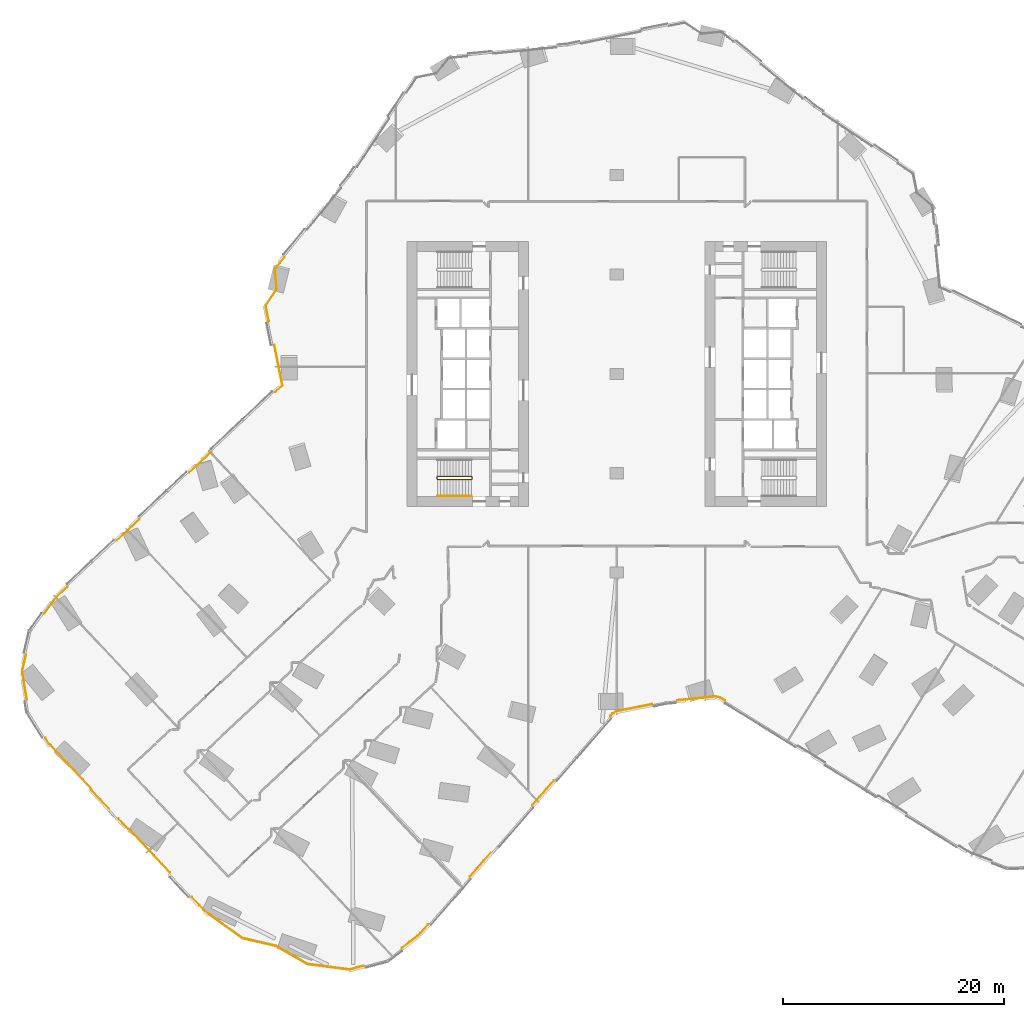
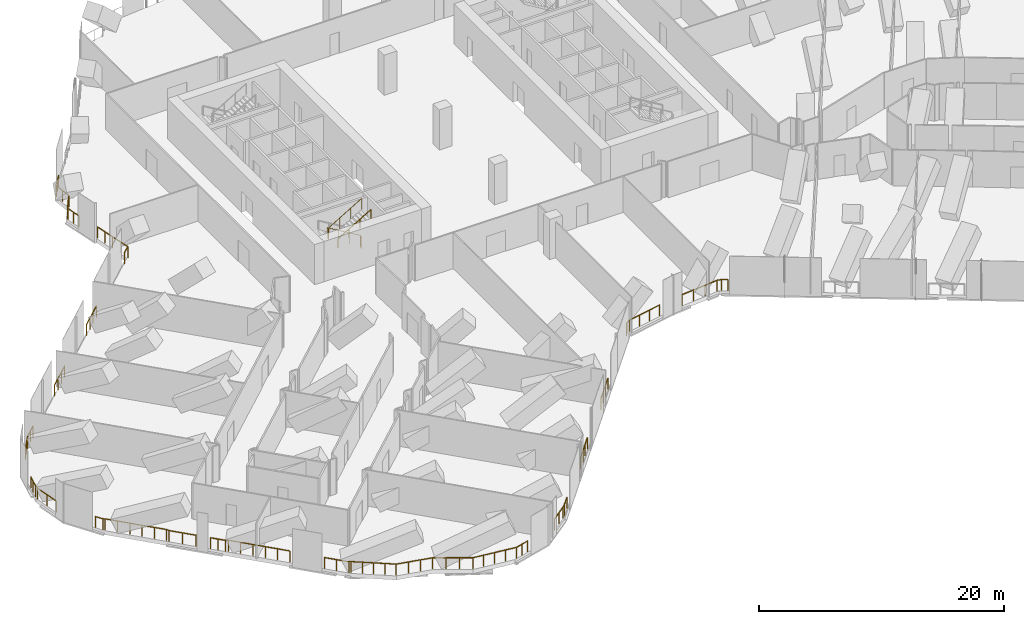
# One storey, part 29 of 31: 18 railings.
"""IFC4 building model written with IfcOpenShell, lengths in metres."""

from ifc_helpers import new_model, si_unit, direction, frame, origin, origin_2d, place, context, subcontext, project, spatial, circle, extrude, material, type_object, element, save


model = new_model("IFC4")

# Units and contexts
model_context = context("Model", 3, precision=1e-05, world=origin(), true_north=direction((0.0, 1.0)))
body_context = subcontext(model_context, "Body", "Model", "MODEL_VIEW")
ifc_project = project(units=[si_unit("LENGTHUNIT", "METRE"), si_unit("AREAUNIT", "SQUARE_METRE"), si_unit("VOLUMEUNIT", "CUBIC_METRE"), si_unit("PLANEANGLEUNIT", "RADIAN"), si_unit("MASSUNIT", "GRAM", prefix="KILO")], contexts=[model_context])

# Site, building, storey
site_placement = place(None, origin())
site = spatial("IfcSite", under=ifc_project, at=site_placement, CompositionType="ELEMENT")
building_placement = place(site_placement, origin())
building = spatial("IfcBuilding", under=site, at=building_placement, Name="Orlundy Tower", CompositionType="ELEMENT")
storey_placement = place(building_placement, frame((0.0, 0.0, 54.800048828125)))
storey = spatial("IfcBuildingStorey", under=building, at=storey_placement, Name="L12", CompositionType="ELEMENT", Elevation=54.800048828125)

# Railings
ifc_material_1 = material(Name="Steel balustrade", Category="steel")
railing_type_1 = type_object("IfcRailingType", Name="Stair Guard 1100", PredefinedType="GUARDRAIL", material=ifc_material_1)
railing_1_placement = place(storey_placement, frame((-13.090087890625, -9.35009765625, 0.0)))
element("IfcRailing", 1, at=railing_1_placement, inside=storey, type_object=railing_type_1, Name="L12 ST-W2 stair guard 1", PredefinedType="GUARDRAIL", context=body_context, shape_type="SweptSolid", body=[
    extrude(circle(Radius=0.02392578125, at=origin_2d()), frame((0.0, 0.0, 1.076171875), z_axis=(0.0, -1.0, 0.0), x_axis=(1.0, 0.0, 0.0)), (0.0, 0.0, 1.0), 0.14990234375),
    extrude(circle(Radius=0.02392578125, at=origin_2d()), frame((0.0, -0.14990234375, 1.076171875), z_axis=(-0.187996396626, 0.754750239394, 0.628497757347), x_axis=(-0.970351222016, -0.241699205484, 0.0)), (0.0, 0.0, 1.0), 0.264892578125),
    extrude(circle(Radius=0.02392578125, at=origin_2d()), frame((-0.0498046875, 0.050048828125, 1.24267578125), z_axis=(-0.85927862911, 0.0, 0.511507807912), x_axis=(0.0, -1.0, 0.0)), (0.0, 0.0, 1.0), 3.58447265625),
    extrude(circle(Radius=0.02392578125, at=origin_2d()), frame((-3.1298828125, 0.050048828125, 3.076171875), z_axis=(-0.707106781187, -0.707106781187, 0.0), x_axis=(0.707106781187, -0.707106781187, 0.0)), (0.0, 0.0, 1.0), 0.07080078125),
    extrude(circle(Radius=0.02392578125, at=origin_2d()), frame((-3.179931640625, 0.0, 3.076171875), z_axis=(0.0, -1.0, 0.0), x_axis=(1.0, 0.0, 0.0)), (0.0, 0.0, 1.0), 0.14990234375),
    extrude(circle(Radius=0.02392578125, at=origin_2d()), frame((-3.179931640625, -0.14990234375, 3.076171875), z_axis=(0.27662974545, -0.27662974545, 0.920299933644), x_axis=(0.707106781187, 0.707106781187, 0.0)), (0.0, 0.0, 1.0), 0.180908203125),
    extrude(circle(Radius=0.02392578125, at=origin_2d()), frame((-3.1298828125, -0.199951171875, 3.24267578125), z_axis=(0.85927862911, 0.0, 0.511507807912), x_axis=(0.0, 1.0, 0.0)), (0.0, 0.0, 1.0), 3.58447265625),
    extrude(circle(Radius=0.02099609375, at=origin_2d()), origin(), (0.0, 0.0, 1.0), 1.052001953125),
    extrude(circle(Radius=0.02099609375, at=origin_2d()), frame((0.0, -0.14990234375, 0.0)), (0.0, 0.0, 1.0), 1.052001953125),
    extrude(circle(Radius=0.02099609375, at=origin_2d()), frame((-0.0498046875, 0.050048828125, 0.16650390625)), (0.0, 0.0, 1.0), 1.052001953125),
    extrude(circle(Radius=0.02099609375, at=origin_2d()), frame((-1.076416015625, 0.050048828125, 0.777587890625)), (0.0, 0.0, 1.0), 1.052001953125),
    extrude(circle(Radius=0.02099609375, at=origin_2d()), frame((-2.103271484375, 0.050048828125, 1.388916015625)), (0.0, 0.0, 1.0), 1.052001953125),
    extrude(circle(Radius=0.02099609375, at=origin_2d()), frame((-3.1298828125, 0.050048828125, 2.0)), (0.0, 0.0, 1.0), 1.052001953125),
    extrude(circle(Radius=0.02099609375, at=origin_2d()), frame((-3.179931640625, 0.0, 2.0)), (0.0, 0.0, 1.0), 1.052001953125),
    extrude(circle(Radius=0.02099609375, at=origin_2d()), frame((-3.179931640625, -0.14990234375, 2.0)), (0.0, 0.0, 1.0), 1.052001953125),
    extrude(circle(Radius=0.02099609375, at=origin_2d()), frame((-3.1298828125, -0.199951171875, 2.16650390625)), (0.0, 0.0, 1.0), 1.052001953125),
    extrude(circle(Radius=0.02099609375, at=origin_2d()), frame((-2.103271484375, -0.199951171875, 2.777587890625)), (0.0, 0.0, 1.0), 1.052001953125),
    extrude(circle(Radius=0.02099609375, at=origin_2d()), frame((-1.076416015625, -0.199951171875, 3.388916015625)), (0.0, 0.0, 1.0), 1.052001953125),
    extrude(circle(Radius=0.02099609375, at=origin_2d()), frame((-0.0498046875, -0.199951171875, 4.0)), (0.0, 0.0, 1.0), 1.052001953125),
])
ifc_material_2 = material(Name="Steel handrail", Category="steel")
railing_type_2 = type_object("IfcRailingType", Name="Stair Handrail 900", PredefinedType="HANDRAIL", material=ifc_material_2)
railing_2_placement = place(storey_placement, frame((-16.219970703125, -11.050048828125, 2.16650390625)))
element("IfcRailing", 2, at=railing_2_placement, inside=storey, type_object=railing_type_2, Name="L12 ST-W2 stair handrail 2", PredefinedType="HANDRAIL", context=body_context, shape_type="SweptSolid", body=[
    extrude(circle(Radius=0.02392578125, at=origin_2d()), frame((0.0, 0.0, 0.8759765625), z_axis=(0.85927862911, 0.0, 0.511507807912), x_axis=(0.0, 1.0, 0.0)), (0.0, 0.0, 1.0), 3.58447265625),
    extrude(circle(Radius=0.02099609375, at=origin_2d()), origin(), (0.0, 0.0, 1.0), 0.851806640625),
    extrude(circle(Radius=0.02099609375, at=origin_2d()), frame((1.026611328125, 0.0, 0.611083984375)), (0.0, 0.0, 1.0), 0.851806640625),
    extrude(circle(Radius=0.02099609375, at=origin_2d()), frame((2.053466796875, 0.0, 1.222412109375)), (0.0, 0.0, 1.0), 0.851806640625),
    extrude(circle(Radius=0.02099609375, at=origin_2d()), frame((3.080078125, 0.0, 1.83349609375)), (0.0, 0.0, 1.0), 0.851806640625),
])
ifc_material_3 = material(Name="Stainless steel bronze finish", Category="steel")
railing_type_3 = type_object("IfcRailingType", Name="TG1 terrace guard", PredefinedType="GUARDRAIL", material=ifc_material_3)
railing_3_placement = place(storey_placement, frame((-45.95751953125, -39.37890625, 0.0)))
element("IfcRailing", 3, at=railing_3_placement, inside=storey, type_object=railing_type_3, Name="Guard TG-L12-E01", PredefinedType="GUARDRAIL", context=body_context, shape_type="SweptSolid", body=[
    extrude(circle(Radius=0.02490234375, at=origin_2d()), frame((0.0, 0.0, 1.09521484375), z_axis=(-0.684122269249, 0.729367342782, 0.0), x_axis=(-0.729367342782, -0.684122269249, 0.0)), (0.0, 0.0, 1.0), 2.3310546875),
    extrude(circle(Radius=0.02490234375, at=origin_2d()), frame((-1.5947265625, 1.7001953125, 1.09521484375), z_axis=(-0.364142699778, 0.931343166721, 0.0), x_axis=(-0.931343166721, -0.364142699778, 0.0)), (0.0, 0.0, 1.0), 0.21533203125),
    extrude(circle(Radius=0.02490234375, at=origin_2d()), frame((-1.673095703125, 1.900634765625, 1.09521484375), z_axis=(-0.684122084536, 0.729367516037, 0.0), x_axis=(-0.729367516037, -0.684122084536, 0.0)), (0.0, 0.0, 1.0), 5.250244140625),
    extrude(circle(Radius=0.02490234375, at=origin_2d()), frame((-5.264892578125, 5.72998046875, 1.09521484375), z_axis=(-0.825772251954, 0.564003712667, 0.0), x_axis=(-0.564003712667, -0.825772251954, 0.0)), (0.0, 0.0, 1.0), 0.193115234375),
    extrude(circle(Radius=0.02490234375, at=origin_2d()), frame((-5.42431640625, 5.8388671875, 1.09521484375), z_axis=(-0.528806866345, 0.848742185888, 0.0), x_axis=(-0.848742185888, -0.528806866345, 0.0)), (0.0, 0.0, 1.0), 0.681396484375),
    extrude(circle(Radius=0.02001953125, at=origin_2d()), origin(), (0.0, 0.0, 1.0), 1.070068359375),
    extrude(circle(Radius=0.02001953125, at=origin_2d()), frame((-0.79736328125, 0.85009765625, 0.0)), (0.0, 0.0, 1.0), 1.070068359375),
    extrude(circle(Radius=0.02001953125, at=origin_2d()), frame((-1.5947265625, 1.7001953125, 0.0)), (0.0, 0.0, 1.0), 1.070068359375),
    extrude(circle(Radius=0.02001953125, at=origin_2d()), frame((-1.673095703125, 1.900634765625, 0.0)), (0.0, 0.0, 1.0), 1.070068359375),
    extrude(circle(Radius=0.02001953125, at=origin_2d()), frame((-2.391357421875, 2.66650390625, 0.0)), (0.0, 0.0, 1.0), 1.070068359375),
    extrude(circle(Radius=0.02001953125, at=origin_2d()), frame((-3.10986328125, 3.432373046875, 0.0)), (0.0, 0.0, 1.0), 1.070068359375),
    extrude(circle(Radius=0.02001953125, at=origin_2d()), frame((-3.828125, 4.1982421875, 0.0)), (0.0, 0.0, 1.0), 1.070068359375),
    extrude(circle(Radius=0.02001953125, at=origin_2d()), frame((-4.546630859375, 4.964111328125, 0.0)), (0.0, 0.0, 1.0), 1.070068359375),
    extrude(circle(Radius=0.02001953125, at=origin_2d()), frame((-5.264892578125, 5.72998046875, 0.0)), (0.0, 0.0, 1.0), 1.070068359375),
    extrude(circle(Radius=0.02001953125, at=origin_2d()), frame((-5.42431640625, 5.8388671875, 0.0)), (0.0, 0.0, 1.0), 1.070068359375),
    extrude(circle(Radius=0.02001953125, at=origin_2d()), frame((-5.78466796875, 6.417236328125, 0.0)), (0.0, 0.0, 1.0), 1.070068359375),
])
railing_4_placement = place(storey_placement, frame((-40.447265625, -45.13671875, 0.0)))
element("IfcRailing", 4, at=railing_4_placement, inside=storey, type_object=railing_type_3, Name="Guard TG-L12-E04", PredefinedType="GUARDRAIL", context=body_context, shape_type="SweptSolid", body=[
    extrude(circle(Radius=0.02490234375, at=origin_2d()), frame((0.0, 0.0, 1.09521484375), z_axis=(-0.684122084536, 0.729367516037, 0.0), x_axis=(-0.729367516037, -0.684122084536, 0.0)), (0.0, 0.0, 1.0), 5.250244140625),
    extrude(circle(Radius=0.02490234375, at=origin_2d()), frame((-3.591796875, 3.829345703125, 1.09521484375), z_axis=(-0.906125186098, 0.423009630056, 0.0), x_axis=(-0.423009630056, -0.906125186098, 0.0)), (0.0, 0.0, 1.0), 0.21533203125),
    extrude(circle(Radius=0.02490234375, at=origin_2d()), frame((-3.786865234375, 3.92041015625, 1.09521484375), z_axis=(-0.684074188068, 0.729412438349, 0.0), x_axis=(-0.729412438349, -0.684074188068, 0.0)), (0.0, 0.0, 1.0), 1.281494140625),
    extrude(circle(Radius=0.02001953125, at=origin_2d()), origin(), (0.0, 0.0, 1.0), 1.070068359375),
    extrude(circle(Radius=0.02001953125, at=origin_2d()), frame((-0.71826171875, 0.765869140625, 0.0)), (0.0, 0.0, 1.0), 1.070068359375),
    extrude(circle(Radius=0.02001953125, at=origin_2d()), frame((-1.436767578125, 1.53173828125, 0.0)), (0.0, 0.0, 1.0), 1.070068359375),
    extrude(circle(Radius=0.02001953125, at=origin_2d()), frame((-2.155029296875, 2.297607421875, 0.0)), (0.0, 0.0, 1.0), 1.070068359375),
    extrude(circle(Radius=0.02001953125, at=origin_2d()), frame((-2.87353515625, 3.0634765625, 0.0)), (0.0, 0.0, 1.0), 1.070068359375),
    extrude(circle(Radius=0.02001953125, at=origin_2d()), frame((-3.591796875, 3.829345703125, 0.0)), (0.0, 0.0, 1.0), 1.070068359375),
    extrude(circle(Radius=0.02001953125, at=origin_2d()), frame((-3.786865234375, 3.92041015625, 0.0)), (0.0, 0.0, 1.0), 1.070068359375),
    extrude(circle(Radius=0.02001953125, at=origin_2d()), frame((-4.22509765625, 4.3876953125, 0.0)), (0.0, 0.0, 1.0), 1.070068359375),
    extrude(circle(Radius=0.02001953125, at=origin_2d()), frame((-4.66357421875, 4.855224609375, 0.0)), (0.0, 0.0, 1.0), 1.070068359375),
])
railing_5_placement = place(storey_placement, frame((-31.509521484375, 4.75830078125, 0.0)))
element("IfcRailing", 5, at=railing_5_placement, inside=storey, type_object=railing_type_3, Name="Guard TG-L12-E06", PredefinedType="GUARDRAIL", context=body_context, shape_type="SweptSolid", body=[
    extrude(circle(Radius=0.02490234375, at=origin_2d()), frame((0.0, 0.0, 1.09521484375), z_axis=(-0.19649330658, 0.980505165957, 0.0), x_axis=(-0.980505165957, -0.19649330658, 0.0)), (0.0, 0.0, 1.0), 1.369140625),
    extrude(circle(Radius=0.02490234375, at=origin_2d()), frame((-0.26904296875, 1.342529296875, 1.09521484375), z_axis=(0.174010938405, 0.984743719612, 0.0), x_axis=(-0.984743719612, 0.174010938405, 0.0)), (0.0, 0.0, 1.0), 0.12353515625),
    extrude(circle(Radius=0.02490234375, at=origin_2d()), frame((-0.24755859375, 1.464111328125, 1.09521484375), z_axis=(0.554270566195, 0.832336554195, 0.0), x_axis=(-0.832336554195, 0.554270566195, 0.0)), (0.0, 0.0, 1.0), 1.705078125),
    extrude(circle(Radius=0.02490234375, at=origin_2d()), frame((0.697509765625, 2.88330078125, 1.09521484375), z_axis=(0.242535625036, 0.970142500145, 0.0), x_axis=(-0.970142500145, 0.242535625036, 0.0)), (0.0, 0.0, 1.0), 0.08056640625),
    extrude(circle(Radius=0.02490234375, at=origin_2d()), frame((0.717041015625, 2.96142578125, 1.09521484375), z_axis=(-0.098751584092, 0.995112116618, 0.0), x_axis=(-0.995112116618, -0.098751584092, 0.0)), (0.0, 0.0, 1.0), 1.703369140625),
    extrude(circle(Radius=0.02490234375, at=origin_2d()), frame((0.548828125, 4.656494140625, 1.09521484375), z_axis=(0.310292435064, 0.950641154559, 0.0), x_axis=(-0.950641154559, 0.310292435064, 0.0)), (0.0, 0.0, 1.0), 0.12353515625),
    extrude(circle(Radius=0.02490234375, at=origin_2d()), frame((0.587158203125, 4.77392578125, 1.09521484375), z_axis=(0.633791857966, 0.773503639795, 0.0), x_axis=(-0.773503639795, 0.633791857966, 0.0)), (0.0, 0.0, 1.0), 1.3193359375),
    extrude(circle(Radius=0.02001953125, at=origin_2d()), origin(), (0.0, 0.0, 1.0), 1.070068359375),
    extrude(circle(Radius=0.02001953125, at=origin_2d()), frame((-0.134521484375, 0.67138671875, 0.0)), (0.0, 0.0, 1.0), 1.070068359375),
    extrude(circle(Radius=0.02001953125, at=origin_2d()), frame((-0.26904296875, 1.342529296875, 0.0)), (0.0, 0.0, 1.0), 1.070068359375),
    extrude(circle(Radius=0.02001953125, at=origin_2d()), frame((-0.24755859375, 1.464111328125, 0.0)), (0.0, 0.0, 1.0), 1.070068359375),
    extrude(circle(Radius=0.02001953125, at=origin_2d()), frame((0.22509765625, 2.173828125, 0.0)), (0.0, 0.0, 1.0), 1.070068359375),
    extrude(circle(Radius=0.02001953125, at=origin_2d()), frame((0.697509765625, 2.88330078125, 0.0)), (0.0, 0.0, 1.0), 1.070068359375),
    extrude(circle(Radius=0.02001953125, at=origin_2d()), frame((0.717041015625, 2.96142578125, 0.0)), (0.0, 0.0, 1.0), 1.070068359375),
    extrude(circle(Radius=0.02001953125, at=origin_2d()), frame((0.6328125, 3.80908203125, 0.0)), (0.0, 0.0, 1.0), 1.070068359375),
    extrude(circle(Radius=0.02001953125, at=origin_2d()), frame((0.548828125, 4.656494140625, 0.0)), (0.0, 0.0, 1.0), 1.070068359375),
    extrude(circle(Radius=0.02001953125, at=origin_2d()), frame((0.587158203125, 4.77392578125, 0.0)), (0.0, 0.0, 1.0), 1.070068359375),
    extrude(circle(Radius=0.02001953125, at=origin_2d()), frame((1.00537109375, 5.2841796875, 0.0)), (0.0, 0.0, 1.0), 1.070068359375),
    extrude(circle(Radius=0.02001953125, at=origin_2d()), frame((1.42333984375, 5.79443359375, 0.0)), (0.0, 0.0, 1.0), 1.070068359375),
])
railing_6_placement = place(storey_placement, frame((-28.009765625, -53.43603515625, 0.0)))
element("IfcRailing", 6, at=railing_6_placement, inside=storey, type_object=railing_type_3, Name="Guard TG-L12-E09", PredefinedType="GUARDRAIL", context=body_context, shape_type="SweptSolid", body=[
    extrude(circle(Radius=0.02490234375, at=origin_2d()), frame((0.0, 0.0, 1.09521484375), z_axis=(-0.866701597506, 0.49882696487, 0.0), x_axis=(-0.49882696487, -0.866701597506, 0.0)), (0.0, 0.0, 1.0), 3.273681640625),
    extrude(circle(Radius=0.02490234375, at=origin_2d()), frame((-2.83740234375, 1.633056640625, 1.09521484375), z_axis=(-0.973690029783, 0.227876558472, 0.0), x_axis=(-0.227876558472, -0.973690029783, 0.0)), (0.0, 0.0, 1.0), 3.113525390625),
    extrude(circle(Radius=0.02001953125, at=origin_2d()), origin(), (0.0, 0.0, 1.0), 1.070068359375),
    extrude(circle(Radius=0.02001953125, at=origin_2d()), frame((-0.94580078125, 0.54443359375, 0.0)), (0.0, 0.0, 1.0), 1.070068359375),
    extrude(circle(Radius=0.02001953125, at=origin_2d()), frame((-1.8916015625, 1.088623046875, 0.0)), (0.0, 0.0, 1.0), 1.070068359375),
    extrude(circle(Radius=0.02001953125, at=origin_2d()), frame((-2.83740234375, 1.633056640625, 0.0)), (0.0, 0.0, 1.0), 1.070068359375),
    extrude(circle(Radius=0.02001953125, at=origin_2d()), frame((-3.847900390625, 1.86962890625, 0.0)), (0.0, 0.0, 1.0), 1.070068359375),
    extrude(circle(Radius=0.02001953125, at=origin_2d()), frame((-4.8583984375, 2.10595703125, 0.0)), (0.0, 0.0, 1.0), 1.070068359375),
    extrude(circle(Radius=0.02001953125, at=origin_2d()), frame((-5.868896484375, 2.342529296875, 0.0)), (0.0, 0.0, 1.0), 1.070068359375),
])
railing_7_placement = place(storey_placement, frame((-33.878662109375, -51.093505859375, 0.0)))
element("IfcRailing", 7, at=railing_7_placement, inside=storey, type_object=railing_type_3, Name="Guard TG-L12-E010", PredefinedType="GUARDRAIL", context=body_context, shape_type="SweptSolid", body=[
    extrude(circle(Radius=0.02490234375, at=origin_2d()), frame((0.0, 0.0, 1.09521484375), z_axis=(-0.813213511608, 0.581965449608, 0.0), x_axis=(-0.581965449608, -0.813213511608, 0.0)), (0.0, 0.0, 1.0), 3.682373046875),
    extrude(circle(Radius=0.02490234375, at=origin_2d()), frame((-2.99462890625, 2.14306640625, 1.09521484375), z_axis=(-0.919863399561, 0.392238863637, 0.0), x_axis=(-0.392238863637, -0.919863399561, 0.0)), (0.0, 0.0, 1.0), 0.19287109375),
    extrude(circle(Radius=0.02490234375, at=origin_2d()), frame((-3.172119140625, 2.21875, 1.09521484375), z_axis=(-0.684100707777, 0.729387566126, 0.0), x_axis=(-0.729387566126, -0.684100707777, 0.0)), (0.0, 0.0, 1.0), 2.08642578125),
    extrude(circle(Radius=0.02001953125, at=origin_2d()), origin(), (0.0, 0.0, 1.0), 1.070068359375),
    extrude(circle(Radius=0.02001953125, at=origin_2d()), frame((-0.74853515625, 0.53564453125, 0.0)), (0.0, 0.0, 1.0), 1.070068359375),
    extrude(circle(Radius=0.02001953125, at=origin_2d()), frame((-1.497314453125, 1.071533203125, 0.0)), (0.0, 0.0, 1.0), 1.070068359375),
    extrude(circle(Radius=0.02001953125, at=origin_2d()), frame((-2.24609375, 1.607421875, 0.0)), (0.0, 0.0, 1.0), 1.070068359375),
    extrude(circle(Radius=0.02001953125, at=origin_2d()), frame((-2.99462890625, 2.14306640625, 0.0)), (0.0, 0.0, 1.0), 1.070068359375),
    extrude(circle(Radius=0.02001953125, at=origin_2d()), frame((-3.172119140625, 2.21875, 0.0)), (0.0, 0.0, 1.0), 1.070068359375),
    extrude(circle(Radius=0.02001953125, at=origin_2d()), frame((-3.8857421875, 2.9794921875, 0.0)), (0.0, 0.0, 1.0), 1.070068359375),
    extrude(circle(Radius=0.02001953125, at=origin_2d()), frame((-4.599365234375, 3.740478515625, 0.0)), (0.0, 0.0, 1.0), 1.070068359375),
])
railing_8_placement = place(storey_placement, frame((-22.9248046875, -53.598388671875, 0.0)))
element("IfcRailing", 8, at=railing_8_placement, inside=storey, type_object=railing_type_3, Name="Guard TG-L12-E016", PredefinedType="GUARDRAIL", context=body_context, shape_type="SweptSolid", body=[
    extrude(circle(Radius=0.02490234375, at=origin_2d()), frame((0.0, 0.0, 1.09521484375), z_axis=(-0.965541974457, -0.260247373783, 0.0), x_axis=(0.260247373783, -0.965541974457, 0.0)), (0.0, 0.0, 1.0), 1.310546875),
    extrude(circle(Radius=0.02490234375, at=origin_2d()), frame((-1.265380859375, -0.341064453125, 1.09521484375), z_axis=(-0.991426016705, 0.13066925193, 0.0), x_axis=(-0.13066925193, -0.991426016705, 0.0)), (0.0, 0.0, 1.0), 3.8525390625),
    extrude(circle(Radius=0.02001953125, at=origin_2d()), origin(), (0.0, 0.0, 1.0), 1.070068359375),
    extrude(circle(Radius=0.02001953125, at=origin_2d()), frame((-0.6328125, -0.17041015625, 0.0)), (0.0, 0.0, 1.0), 1.070068359375),
    extrude(circle(Radius=0.02001953125, at=origin_2d()), frame((-1.265380859375, -0.341064453125, 0.0)), (0.0, 0.0, 1.0), 1.070068359375),
    extrude(circle(Radius=0.02001953125, at=origin_2d()), frame((-2.22021484375, -0.21533203125, 0.0)), (0.0, 0.0, 1.0), 1.070068359375),
    extrude(circle(Radius=0.02001953125, at=origin_2d()), frame((-3.17529296875, -0.08935546875, 0.0)), (0.0, 0.0, 1.0), 1.070068359375),
    extrude(circle(Radius=0.02001953125, at=origin_2d()), frame((-4.130126953125, 0.03662109375, 0.0)), (0.0, 0.0, 1.0), 1.070068359375),
    extrude(circle(Radius=0.02001953125, at=origin_2d()), frame((-5.0849609375, 0.162353515625, 0.0)), (0.0, 0.0, 1.0), 1.070068359375),
])
railing_9_placement = place(storey_placement, frame((-30.952392578125, -1.666015625, 0.0)))
element("IfcRailing", 9, at=railing_9_placement, inside=storey, type_object=railing_type_3, Name="Guard TG-L12-E020", PredefinedType="GUARDRAIL", context=body_context, shape_type="SweptSolid", body=[
    extrude(circle(Radius=0.02490234375, at=origin_2d()), frame((0.0, 0.0, 1.09521484375), z_axis=(0.746401916476, 0.665495438813, 0.0), x_axis=(-0.665495438813, 0.746401916476, 0.0)), (0.0, 0.0, 1.0), 0.92333984375),
    extrude(circle(Radius=0.02490234375, at=origin_2d()), frame((0.689208984375, 0.614501953125, 1.09521484375), z_axis=(-0.196528688502, 0.980498074754, 0.0), x_axis=(-0.980498074754, -0.196528688502, 0.0)), (0.0, 0.0, 1.0), 3.75537109375),
    extrude(circle(Radius=0.02001953125, at=origin_2d()), origin(), (0.0, 0.0, 1.0), 1.070068359375),
    extrude(circle(Radius=0.02001953125, at=origin_2d()), frame((0.689208984375, 0.614501953125, 0.0)), (0.0, 0.0, 1.0), 1.070068359375),
    extrude(circle(Radius=0.02001953125, at=origin_2d()), frame((0.504638671875, 1.53515625, 0.0)), (0.0, 0.0, 1.0), 1.070068359375),
    extrude(circle(Radius=0.02001953125, at=origin_2d()), frame((0.3203125, 2.45556640625, 0.0)), (0.0, 0.0, 1.0), 1.070068359375),
    extrude(circle(Radius=0.02001953125, at=origin_2d()), frame((0.1357421875, 3.3759765625, 0.0)), (0.0, 0.0, 1.0), 1.070068359375),
    extrude(circle(Radius=0.02001953125, at=origin_2d()), frame((-0.048828125, 4.296630859375, 0.0)), (0.0, 0.0, 1.0), 1.070068359375),
])
railing_10_placement = place(storey_placement, frame((9.796142578125, -29.57568359375, 0.0)))
element("IfcRailing", 10, at=railing_10_placement, inside=storey, type_object=railing_type_3, Name="Guard TG-L12-E021", PredefinedType="GUARDRAIL", context=body_context, shape_type="SweptSolid", body=[
    extrude(circle(Radius=0.02490234375, at=origin_2d()), frame((0.0, 0.0, 1.09521484375), z_axis=(-0.849565660919, 0.527482879141, 0.0), x_axis=(-0.527482879141, -0.849565660919, 0.0)), (0.0, 0.0, 1.0), 0.50634765625),
    extrude(circle(Radius=0.02490234375, at=origin_2d()), frame((-0.43017578125, 0.26708984375, 1.09521484375), z_axis=(-0.973921266206, 0.226886242933, 0.0), x_axis=(-0.226886242933, -0.973921266206, 0.0)), (0.0, 0.0, 1.0), 0.404541015625),
    extrude(circle(Radius=0.02490234375, at=origin_2d()), frame((-0.82421875, 0.35888671875, 1.09521484375), z_axis=(-0.995105313401, -0.098820115571, 0.0), x_axis=(0.098820115571, -0.995105313401, 0.0)), (0.0, 0.0, 1.0), 3.500732421875),
    extrude(circle(Radius=0.02001953125, at=origin_2d()), origin(), (0.0, 0.0, 1.0), 1.070068359375),
    extrude(circle(Radius=0.02001953125, at=origin_2d()), frame((-0.43017578125, 0.26708984375, 0.0)), (0.0, 0.0, 1.0), 1.070068359375),
    extrude(circle(Radius=0.02001953125, at=origin_2d()), frame((-0.82421875, 0.35888671875, 0.0)), (0.0, 0.0, 1.0), 1.070068359375),
    extrude(circle(Radius=0.02001953125, at=origin_2d()), frame((-1.9853515625, 0.24365234375, 0.0)), (0.0, 0.0, 1.0), 1.070068359375),
    extrude(circle(Radius=0.02001953125, at=origin_2d()), frame((-3.146728515625, 0.128173828125, 0.0)), (0.0, 0.0, 1.0), 1.070068359375),
    extrude(circle(Radius=0.02001953125, at=origin_2d()), frame((-4.307861328125, 0.012939453125, 0.0)), (0.0, 0.0, 1.0), 1.070068359375),
])
railing_11_placement = place(storey_placement, frame((-53.41259765625, -29.480224609375, 0.0)))
element("IfcRailing", 11, at=railing_11_placement, inside=storey, type_object=railing_type_3, Name="Guard TG-L12-E022", PredefinedType="GUARDRAIL", context=body_context, shape_type="SweptSolid", body=[
    extrude(circle(Radius=0.02490234375, at=origin_2d()), frame((0.0, 0.0, 1.09521484375), z_axis=(-0.16340645674, 0.986558832455, 0.0), x_axis=(-0.986558832455, -0.16340645674, 0.0)), (0.0, 0.0, 1.0), 2.3935546875),
    extrude(circle(Radius=0.02490234375, at=origin_2d()), frame((-0.39111328125, 2.361328125, 1.09521484375), z_axis=(0.031740318411, 0.999496149161, 0.0), x_axis=(-0.999496149161, 0.031740318411, 0.0)), (0.0, 0.0, 1.0), 0.376953125),
    extrude(circle(Radius=0.02490234375, at=origin_2d()), frame((-0.379150390625, 2.738037109375, 1.09521484375), z_axis=(0.226390670746, 0.974036582578, 0.0), x_axis=(-0.974036582578, 0.226390670746, 0.0)), (0.0, 0.0, 1.0), 1.315673828125),
    extrude(circle(Radius=0.02001953125, at=origin_2d()), origin(), (0.0, 0.0, 1.0), 1.070068359375),
    extrude(circle(Radius=0.02001953125, at=origin_2d()), frame((-0.195556640625, 1.1806640625, 0.0)), (0.0, 0.0, 1.0), 1.070068359375),
    extrude(circle(Radius=0.02001953125, at=origin_2d()), frame((-0.39111328125, 2.361328125, 0.0)), (0.0, 0.0, 1.0), 1.070068359375),
    extrude(circle(Radius=0.02001953125, at=origin_2d()), frame((-0.379150390625, 2.738037109375, 0.0)), (0.0, 0.0, 1.0), 1.070068359375),
    extrude(circle(Radius=0.02001953125, at=origin_2d()), frame((-0.230224609375, 3.37890625, 0.0)), (0.0, 0.0, 1.0), 1.070068359375),
    extrude(circle(Radius=0.02001953125, at=origin_2d()), frame((-0.081298828125, 4.01953125, 0.0)), (0.0, 0.0, 1.0), 1.070068359375),
])
railing_12_placement = place(storey_placement, frame((3.186767578125, -29.917236328125, 0.0)))
element("IfcRailing", 12, at=railing_12_placement, inside=storey, type_object=railing_type_3, Name="Guard TG-L12-E023", PredefinedType="GUARDRAIL", context=body_context, shape_type="SweptSolid", body=[
    extrude(circle(Radius=0.02490234375, at=origin_2d()), frame((0.0, 0.0, 1.09521484375), z_axis=(-0.98050350914, -0.196501573947, 0.0), x_axis=(0.196501573947, -0.98050350914, 0.0)), (0.0, 0.0, 1.0), 3.288818359375),
    extrude(circle(Radius=0.02490234375, at=origin_2d()), frame((-3.224609375, -0.646240234375, 1.09521484375), z_axis=(-0.865329802355, -0.501202886221, 0.0), x_axis=(0.501202886221, -0.865329802355, 0.0)), (0.0, 0.0, 1.0), 0.404296875),
    extrude(circle(Radius=0.02490234375, at=origin_2d()), frame((-3.574462890625, -0.848876953125, 1.09521484375), z_axis=(-0.658566196357, -0.752522800329, 0.0), x_axis=(0.752522800329, -0.658566196357, 0.0)), (0.0, 0.0, 1.0), 0.280517578125),
    extrude(circle(Radius=0.02001953125, at=origin_2d()), origin(), (0.0, 0.0, 1.0), 1.070068359375),
    extrude(circle(Radius=0.02001953125, at=origin_2d()), frame((-1.074951171875, -0.21533203125, 0.0)), (0.0, 0.0, 1.0), 1.070068359375),
    extrude(circle(Radius=0.02001953125, at=origin_2d()), frame((-2.149658203125, -0.430908203125, 0.0)), (0.0, 0.0, 1.0), 1.070068359375),
    extrude(circle(Radius=0.02001953125, at=origin_2d()), frame((-3.224609375, -0.646240234375, 0.0)), (0.0, 0.0, 1.0), 1.070068359375),
    extrude(circle(Radius=0.02001953125, at=origin_2d()), frame((-3.574462890625, -0.848876953125, 0.0)), (0.0, 0.0, 1.0), 1.070068359375),
    extrude(circle(Radius=0.02001953125, at=origin_2d()), frame((-3.75927734375, -1.06005859375, 0.0)), (0.0, 0.0, 1.0), 1.070068359375),
])
railing_13_placement = place(storey_placement, frame((-17.071533203125, -49.845947265625, 0.0)))
element("IfcRailing", 13, at=railing_13_placement, inside=storey, type_object=railing_type_3, Name="Guard TG-L12-E028", PredefinedType="GUARDRAIL", context=body_context, shape_type="SweptSolid", body=[
    extrude(circle(Radius=0.02490234375, at=origin_2d()), frame((0.0, 0.0, 1.09521484375), z_axis=(-0.658304988722, -0.752751314727, 0.0), x_axis=(0.752751314727, -0.658304988722, 0.0)), (0.0, 0.0, 1.0), 1.0390625),
    extrude(circle(Radius=0.02490234375, at=origin_2d()), frame((-0.68408203125, -0.7822265625, 1.09521484375), z_axis=(-0.728677652184, -0.684856831176, 0.0), x_axis=(0.684856831176, -0.728677652184, 0.0)), (0.0, 0.0, 1.0), 0.389892578125),
    extrude(circle(Radius=0.02490234375, at=origin_2d()), frame((-0.96826171875, -1.04931640625, 1.09521484375), z_axis=(-0.792366726903, -0.610045055792, 0.0), x_axis=(0.610045055792, -0.792366726903, 0.0)), (0.0, 0.0, 1.0), 1.7998046875),
    extrude(circle(Radius=0.02001953125, at=origin_2d()), origin(), (0.0, 0.0, 1.0), 1.070068359375),
    extrude(circle(Radius=0.02001953125, at=origin_2d()), frame((-0.68408203125, -0.7822265625, 0.0)), (0.0, 0.0, 1.0), 1.070068359375),
    extrude(circle(Radius=0.02001953125, at=origin_2d()), frame((-0.96826171875, -1.04931640625, 0.0)), (0.0, 0.0, 1.0), 1.070068359375),
    extrude(circle(Radius=0.02001953125, at=origin_2d()), frame((-1.68115234375, -1.59814453125, 0.0)), (0.0, 0.0, 1.0), 1.070068359375),
    extrude(circle(Radius=0.02001953125, at=origin_2d()), frame((-2.394287109375, -2.147216796875, 0.0)), (0.0, 0.0, 1.0), 1.070068359375),
])
railing_14_placement = place(storey_placement, frame((-51.82568359375, -21.693115234375, 0.0)))
element("IfcRailing", 14, at=railing_14_placement, inside=storey, type_object=railing_type_3, Name="Guard TG-L12-E029", PredefinedType="GUARDRAIL", context=body_context, shape_type="SweptSolid", body=[
    extrude(circle(Radius=0.02490234375, at=origin_2d()), frame((0.0, 0.0, 1.09521484375), z_axis=(0.582017753067, 0.813176078789, 0.0), x_axis=(-0.813176078789, 0.582017753067, 0.0)), (0.0, 0.0, 1.0), 1.480712890625),
    extrude(circle(Radius=0.02490234375, at=origin_2d()), frame((0.86181640625, 1.2041015625, 1.09521484375), z_axis=(0.658637444331, 0.752460442099, 0.0), x_axis=(-0.752460442099, 0.658637444331, 0.0)), (0.0, 0.0, 1.0), 0.390380859375),
    extrude(circle(Radius=0.02490234375, at=origin_2d()), frame((1.118896484375, 1.497802734375, 1.09521484375), z_axis=(0.729359438642, 0.684130696039, 0.0), x_axis=(-0.684130696039, 0.729359438642, 0.0)), (0.0, 0.0, 1.0), 1.327880859375),
    extrude(circle(Radius=0.02001953125, at=origin_2d()), origin(), (0.0, 0.0, 1.0), 1.070068359375),
    extrude(circle(Radius=0.02001953125, at=origin_2d()), frame((0.430908203125, 0.60205078125, 0.0)), (0.0, 0.0, 1.0), 1.070068359375),
    extrude(circle(Radius=0.02001953125, at=origin_2d()), frame((0.86181640625, 1.2041015625, 0.0)), (0.0, 0.0, 1.0), 1.070068359375),
    extrude(circle(Radius=0.02001953125, at=origin_2d()), frame((1.118896484375, 1.497802734375, 0.0)), (0.0, 0.0, 1.0), 1.070068359375),
    extrude(circle(Radius=0.02001953125, at=origin_2d()), frame((1.60302734375, 1.9521484375, 0.0)), (0.0, 0.0, 1.0), 1.070068359375),
    extrude(circle(Radius=0.02001953125, at=origin_2d()), frame((2.08740234375, 2.40625, 0.0)), (0.0, 0.0, 1.0), 1.070068359375),
])
railing_15_placement = place(storey_placement, frame((-5.697998046875, -36.8388671875, 0.0)))
element("IfcRailing", 15, at=railing_15_placement, inside=storey, type_object=railing_type_3, Name="Guard TG-L12-E032", PredefinedType="GUARDRAIL", context=body_context, shape_type="SweptSolid", body=[
    extrude(circle(Radius=0.02490234375, at=origin_2d()), frame((0.0, 0.0, 1.09521484375), z_axis=(-0.658244357808, -0.752804334082, 0.0), x_axis=(0.752804334082, -0.658244357808, 0.0)), (0.0, 0.0, 1.0), 2.922607421875),
    extrude(circle(Radius=0.02001953125, at=origin_2d()), origin(), (0.0, 0.0, 1.0), 1.070068359375),
    extrude(circle(Radius=0.02001953125, at=origin_2d()), frame((-0.641357421875, -0.7333984375, 0.0)), (0.0, 0.0, 1.0), 1.070068359375),
    extrude(circle(Radius=0.02001953125, at=origin_2d()), frame((-1.282470703125, -1.466796875, 0.0)), (0.0, 0.0, 1.0), 1.070068359375),
    extrude(circle(Radius=0.02001953125, at=origin_2d()), frame((-1.923828125, -2.2001953125, 0.0)), (0.0, 0.0, 1.0), 1.070068359375),
])
railing_16_placement = place(storey_placement, frame((-11.405029296875, -43.36572265625, 0.0)))
element("IfcRailing", 16, at=railing_16_placement, inside=storey, type_object=railing_type_3, Name="Guard TG-L12-E034", PredefinedType="GUARDRAIL", context=body_context, shape_type="SweptSolid", body=[
    extrude(circle(Radius=0.02490234375, at=origin_2d()), frame((0.0, 0.0, 1.09521484375), z_axis=(-0.658232117962, -0.752815036302, 0.0), x_axis=(0.752815036302, -0.658232117962, 0.0)), (0.0, 0.0, 1.0), 2.854736328125),
    extrude(circle(Radius=0.02001953125, at=origin_2d()), origin(), (0.0, 0.0, 1.0), 1.070068359375),
    extrude(circle(Radius=0.02001953125, at=origin_2d()), frame((-0.62646484375, -0.71630859375, 0.0)), (0.0, 0.0, 1.0), 1.070068359375),
    extrude(circle(Radius=0.02001953125, at=origin_2d()), frame((-1.252685546875, -1.432861328125, 0.0)), (0.0, 0.0, 1.0), 1.070068359375),
    extrude(circle(Radius=0.02001953125, at=origin_2d()), frame((-1.879150390625, -2.149169921875, 0.0)), (0.0, 0.0, 1.0), 1.070068359375),
])
railing_17_placement = place(storey_placement, frame((-45.2734375, -15.09912109375, 0.0)))
element("IfcRailing", 17, at=railing_17_placement, inside=storey, type_object=railing_type_3, Name="Guard TG-L12-E035", PredefinedType="GUARDRAIL", context=body_context, shape_type="SweptSolid", body=[
    extrude(circle(Radius=0.02490234375, at=origin_2d()), frame((0.0, 0.0, 1.09521484375), z_axis=(0.729323648152, 0.684168850684, 0.0), x_axis=(-0.684168850684, 0.729323648152, 0.0)), (0.0, 0.0, 1.0), 2.81689453125),
    extrude(circle(Radius=0.02001953125, at=origin_2d()), origin(), (0.0, 0.0, 1.0), 1.070068359375),
    extrude(circle(Radius=0.02001953125, at=origin_2d()), frame((0.684814453125, 0.642333984375, 0.0)), (0.0, 0.0, 1.0), 1.070068359375),
    extrude(circle(Radius=0.02001953125, at=origin_2d()), frame((1.36962890625, 1.284912109375, 0.0)), (0.0, 0.0, 1.0), 1.070068359375),
    extrude(circle(Radius=0.02001953125, at=origin_2d()), frame((2.054443359375, 1.92724609375, 0.0)), (0.0, 0.0, 1.0), 1.070068359375),
])
railing_18_placement = place(storey_placement, frame((-38.709228515625, -8.941650390625, 0.0)))
element("IfcRailing", 18, at=railing_18_placement, inside=storey, type_object=railing_type_3, Name="Guard TG-L12-E036", PredefinedType="GUARDRAIL", context=body_context, shape_type="SweptSolid", body=[
    extrude(circle(Radius=0.02490234375, at=origin_2d()), frame((0.0, 0.0, 1.09521484375), z_axis=(0.729348836964, 0.684141998433, 0.0), x_axis=(-0.684141998433, 0.729348836964, 0.0)), (0.0, 0.0, 1.0), 2.748779296875),
    extrude(circle(Radius=0.02001953125, at=origin_2d()), origin(), (0.0, 0.0, 1.0), 1.070068359375),
    extrude(circle(Radius=0.02001953125, at=origin_2d()), frame((0.668212890625, 0.626953125, 0.0)), (0.0, 0.0, 1.0), 1.070068359375),
    extrude(circle(Radius=0.02001953125, at=origin_2d()), frame((1.336669921875, 1.253662109375, 0.0)), (0.0, 0.0, 1.0), 1.070068359375),
    extrude(circle(Radius=0.02001953125, at=origin_2d()), frame((2.0048828125, 1.880615234375, 0.0)), (0.0, 0.0, 1.0), 1.070068359375),
])

save(model, "model.ifc")
